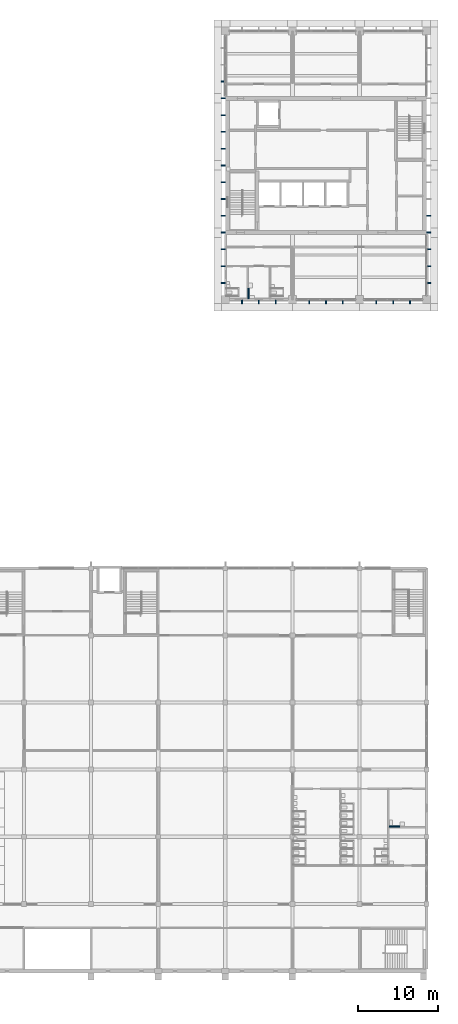
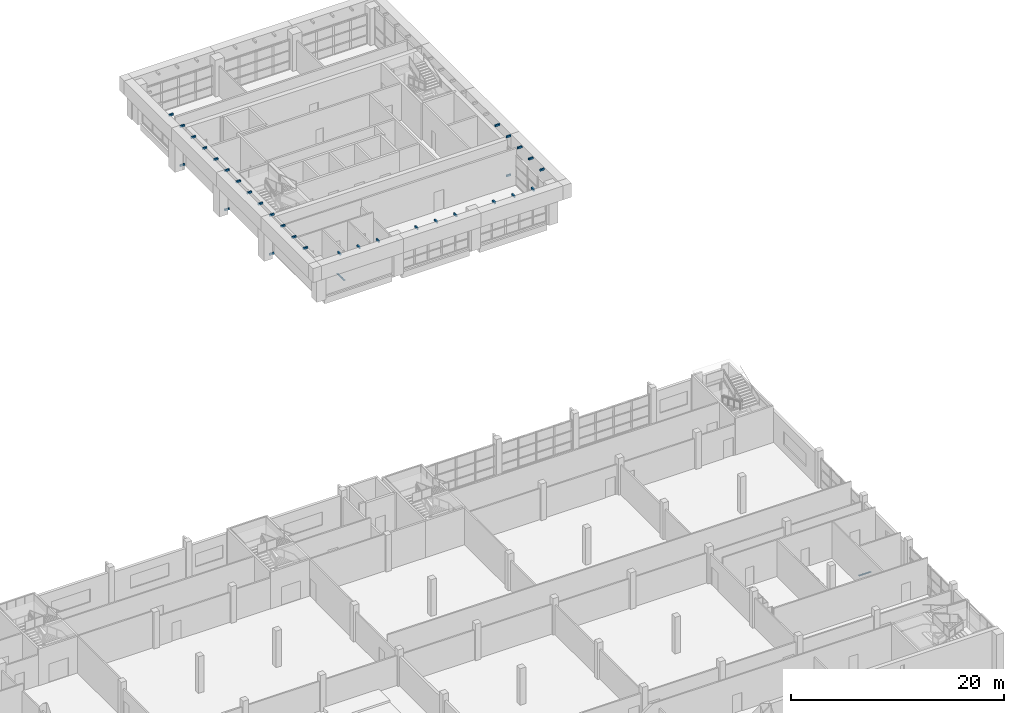
# One storey, part 32 of 56: 35 discrete accessories.
"""IFC4 building model written with IfcOpenShell, lengths in metres."""

import ifcopenshell
import ifcopenshell.guid

model = None  # the IFC model being written
_history = None  # IfcOwnerHistory: only IFC2X3 demands one
_inside = {}  # id of a spatial element -> (the spatial element, [elements in it])
_under = {}  # id of a project, library or spatial element -> (it, [spatial elements below it])
_declared = {}  # id of a project -> (the project, [libraries it declares])
_typed = {}  # id of a type object -> (the type object, [elements of that type])
_made_of = {}  # id of a material, layer set ... -> (it, [elements and type objects made of it])


def new_model(schema):
    """Start an empty IFC model of exactly this schema.

    Asked for "IFC4X3", IfcOpenShell would pick the latest addendum, in which some entities
    have other attributes; the version numbers below select the first issue.
    IFC2X3 requires an IfcOwnerHistory on every rooted entity: one is made here for all.
    """
    global model, _history
    if schema == "IFC4X3":
        model = ifcopenshell.file(schema_version=(4, 3, 0, 0))
    else:
        model = ifcopenshell.file(schema=schema)
    _inside.clear()
    _under.clear()
    _declared.clear()
    _typed.clear()
    _made_of.clear()
    _history = None
    if model.schema == "IFC2X3":
        org = make("IfcOrganization", Name="unknown")
        user = make(
            "IfcPersonAndOrganization",
            ThePerson=make("IfcPerson", FamilyName="unknown"),
            TheOrganization=org,
        )
        app = make(
            "IfcApplication",
            ApplicationDeveloper=org,
            Version="unknown",
            ApplicationFullName="unknown",
            ApplicationIdentifier="unknown",
        )
        _history = make(
            "IfcOwnerHistory",
            OwningUser=user,
            OwningApplication=app,
            ChangeAction="ADDED",
            CreationDate=0,
        )
    return model


def make(cls, **values):
    """One entity of the class cls with the attributes given. An attribute that is None is left unset."""
    return model.create_entity(
        cls, **{name: value for name, value in values.items() if value is not None}
    )


def rooted(cls, **values):
    """An entity with a GlobalId (a new one), such as an element, a storey or a relation."""
    return make(cls, GlobalId=ifcopenshell.guid.new(), OwnerHistory=_history, **values)


def si_unit(unit_type, name, prefix=None):
    """IfcSIUnit, for example si_unit("LENGTHUNIT", "METRE", prefix="MILLI")."""
    return make("IfcSIUnit", UnitType=unit_type, Prefix=prefix, Name=name)


def assignment(units):
    """IfcUnitAssignment: the units of a project."""
    return None if units is None else make("IfcUnitAssignment", Units=units)


def point(xyz):
    """IfcCartesianPoint."""
    return None if xyz is None else make("IfcCartesianPoint", Coordinates=xyz)


def direction(xyz):
    """IfcDirection."""
    return None if xyz is None else make("IfcDirection", DirectionRatios=xyz)


def frame(location, z_axis=None, x_axis=None):
    """IfcAxis2Placement3D, a coordinate frame: its origin and axes. An axis left out is left unset."""
    return make(
        "IfcAxis2Placement3D",
        Location=point(location),
        Axis=direction(z_axis),
        RefDirection=direction(x_axis),
    )


def frame_2d(location, x_axis=None):
    """IfcAxis2Placement2D, a coordinate frame in the plane: its origin and x axis."""
    return make(
        "IfcAxis2Placement2D", Location=point(location), RefDirection=direction(x_axis)
    )


def origin():
    """The frame at (0, 0, 0) with its axes left unset."""
    return frame((0.0, 0.0, 0.0))


def origin_2d():
    """The frame at (0, 0) in the plane with its x axis left unset."""
    return frame_2d((0.0, 0.0))


def place(relative_to, where):
    """IfcLocalPlacement: puts the frame where relative to a parent placement (None: the world)."""
    return make(
        "IfcLocalPlacement", PlacementRelTo=relative_to, RelativePlacement=where
    )


def context(
    kind, dimensions, precision=None, world=None, true_north=None, identifier=None
):
    """IfcGeometricRepresentationContext, for example the 3D "Model" context."""
    return make(
        "IfcGeometricRepresentationContext",
        ContextIdentifier=identifier,
        ContextType=kind,
        CoordinateSpaceDimension=dimensions,
        Precision=precision,
        WorldCoordinateSystem=world,
        TrueNorth=true_north,
    )


def subcontext(parent, identifier, kind, view, scale=None):
    """IfcGeometricRepresentationSubContext, for example "Body" below "Model"."""
    return make(
        "IfcGeometricRepresentationSubContext",
        ContextIdentifier=identifier,
        ContextType=kind,
        ParentContext=parent,
        TargetScale=scale,
        TargetView=view,
    )


def project(units=None, contexts=None):
    """IfcProject with its units and contexts."""
    return rooted(
        "IfcProject",
        Name="project",
        RepresentationContexts=contexts,
        UnitsInContext=assignment(units),
    )


def spatial(cls, under=None, at=None, **own):
    """A site, building, storey or space (cls), placed at a placement, below another one or the project."""
    s = rooted(cls, ObjectPlacement=at, **own)
    if under is not None:
        _under.setdefault(under.id(), (under, []))[1].append(s)
    return s


def profile(cls, at=None, kind="AREA", **sizes):
    """A parametric profile (cls). Its sizes go by their IFC names, for example OverallWidth=200.0."""
    return make(cls, ProfileType=kind, Position=at, **sizes)


def rectangle(**sizes):
    """IfcRectangleProfileDef."""
    return profile("IfcRectangleProfileDef", **sizes)


def extrude(swept, where, along, depth):
    """IfcExtrudedAreaSolid: the profile swept, set in the frame where, extruded along a direction by depth."""
    return make(
        "IfcExtrudedAreaSolid",
        SweptArea=swept,
        Position=where,
        ExtrudedDirection=direction(along),
        Depth=depth,
    )


def shape(context_of_items, identifier, shape_type, items):
    """IfcShapeRepresentation: the items that make up one representation, for example the "Body"."""
    return make(
        "IfcShapeRepresentation",
        ContextOfItems=context_of_items,
        RepresentationIdentifier=identifier,
        RepresentationType=shape_type,
        Items=items,
    )


def material(Name=None, Category=None):
    """IfcMaterial."""
    return make("IfcMaterial", Name=Name, Category=Category)


def made_of(thing, what):
    """Note that an element or type object is made of a material, layer set ...; save() writes the relation."""
    if what is not None:
        _made_of.setdefault(what.id(), (what, []))[1].append(thing)
    return thing


def type_object(cls, material=None, **own):
    """A type object (cls), such as IfcWallType, which elements share."""
    return made_of(rooted(cls, **own), material)


def element(
    cls,
    number,
    at=None,
    inside=None,
    cuts=None,
    type_object=None,
    material=None,
    context=None,
    identifier="Body",
    shape_type=None,
    held_by="IfcProductDefinitionShape",
    body=None,
    shapes=None,
    **own,
):
    """One element of the class cls, such as IfcWall. Its Tag is "e" and its number.

    at: its placement. inside: the storey or other place that contains it. cuts: it is an
    opening in that element (IfcRelVoidsElement). A single representation is given by context,
    identifier, shape_type and body (its items); several are given by shapes. held_by: the class
    of the entity that holds the representations. save() writes the other relations.
    """
    e = rooted(cls, Tag="e%d" % number, ObjectPlacement=at, **own)
    if body is not None:
        shapes = [shape(context, identifier, shape_type, body)]
    if shapes is not None:
        e.Representation = make(held_by, Representations=shapes)
    if inside is not None:
        _inside.setdefault(inside.id(), (inside, []))[1].append(e)
    if cuts is not None:
        rooted(
            "IfcRelVoidsElement", RelatingBuildingElement=cuts, RelatedOpeningElement=e
        )
    if type_object is not None:
        _typed.setdefault(type_object.id(), (type_object, []))[1].append(e)
    return made_of(e, material)


def aggregate(whole, parts):
    """IfcRelAggregates: a whole, such as a stair, and the parts it consists of."""
    return rooted("IfcRelAggregates", RelatingObject=whole, RelatedObjects=parts)


def save(model, path):
    """Write the relations noted so far, then the file.

    IfcRelAggregates (storeys below a building ...), IfcRelContainedInSpatialStructure (elements
    in a storey), IfcRelDefinesByType, IfcRelAssociatesMaterial and IfcRelDeclares: one each for
    every whole, place, type object, material and project.
    """
    for whole, parts in _under.values():
        aggregate(whole, parts)
    for where, things in _inside.values():
        rooted(
            "IfcRelContainedInSpatialStructure",
            RelatedElements=things,
            RelatingStructure=where,
        )
    for kind, things in _typed.values():
        rooted("IfcRelDefinesByType", RelatedObjects=things, RelatingType=kind)
    for what, things in _made_of.values():
        rooted("IfcRelAssociatesMaterial", RelatedObjects=things, RelatingMaterial=what)
    for by, libraries in _declared.values():
        rooted("IfcRelDeclares", RelatingContext=by, RelatedDefinitions=libraries)
    model.write(path)


model = new_model("IFC4")

# Units and contexts
model_context = context("Model", 3, precision=1e-05, world=origin(), true_north=direction((0.0, 1.0)))
body_context = subcontext(model_context, "Body", "Model", "MODEL_VIEW")
ifc_project = project(units=[si_unit("LENGTHUNIT", "METRE"), si_unit("AREAUNIT", "SQUARE_METRE"), si_unit("VOLUMEUNIT", "CUBIC_METRE"), si_unit("PLANEANGLEUNIT", "RADIAN"), si_unit("MASSUNIT", "GRAM", prefix="KILO")], contexts=[model_context])

# Site, building, storey
site_placement = place(None, origin())
site = spatial("IfcSite", under=ifc_project, at=site_placement, CompositionType="ELEMENT")
building_placement = place(site_placement, origin())
building = spatial("IfcBuilding", under=site, at=building_placement, Name="Rulbaag Community and Learning Centre", CompositionType="ELEMENT")
storey_placement = place(building_placement, frame((0.0, 0.0, 9.89990234375)))
storey = spatial("IfcBuildingStorey", under=building, at=storey_placement, Name="L02", CompositionType="ELEMENT", Elevation=9.89990234375)

# Discrete accessories
ifc_material_1 = material(Name="Steel E350", Category="steel")
discrete_accessory_type_1 = type_object("IfcDiscreteAccessoryType", Name="BR-DB", PredefinedType="BRACKET", material=ifc_material_1)
for number, where, z_axis, x_axis, name in (
    (1, (144.89990234375, 83.75, 4.25), (0.0, 0.0, 1.0), (1.0, 0.0, 0.0), "Datum band bracket"),
    (2, (147.0, 83.75, 4.25), (0.0, 0.0, 1.0), (1.0, 0.0, 0.0), "Datum band bracket"),
    (3, (149.10009765625, 83.75, 4.25), (0.0, 0.0, 1.0), (1.0, 0.0, 0.0), "Datum band bracket"),
    (4, (153.300048828125, 83.75, 4.25), (0.0, 0.0, 1.0), (1.0, 0.0, 0.0), "Datum band bracket"),
    (5, (155.39990234375, 83.75, 4.25), (0.0, 0.0, 1.0), (1.0, 0.0, 0.0), "Datum band bracket"),
    (6, (157.5, 83.75, 4.25), (0.0, 0.0, 1.0), (1.0, 0.0, 0.0), "Datum band bracket"),
    (7, (161.699951171875, 83.75, 4.25), (0.0, 0.0, 1.0), (1.0, 0.0, 0.0), "Datum band bracket"),
    (8, (163.800048828125, 83.75, 4.25), (0.0, 0.0, 1.0), (1.0, 0.0, 0.0), "Datum band bracket"),
    (9, (165.89990234375, 83.75, 4.25), (0.0, 0.0, 1.0), (1.0, 0.0, 0.0), "Datum band bracket"),
):
    element("IfcDiscreteAccessory", number, at=place(storey_placement, frame(where, z_axis=z_axis, x_axis=x_axis)), inside=storey, type_object=discrete_accessory_type_1, Name=name, PredefinedType="BRACKET", context=body_context, shape_type="SweptSolid", body=[
        extrude(rectangle(XDim=0.14990234375, YDim=0.5, at=origin_2d()), origin(), (0.0, 0.0, 1.0), 0.199951171875),
    ])
for number, where, z_axis, x_axis, name in (
    (10, (142.550048828125, 86.10009765625, 4.25), (0.0, 0.0, 1.0), (1.0, 0.0, 0.0), "Datum band bracket"),
    (11, (142.550048828125, 88.199951171875, 4.25), (0.0, 0.0, 1.0), (1.0, 0.0, 0.0), "Datum band bracket"),
    (12, (142.550048828125, 90.300048828125, 4.25), (0.0, 0.0, 1.0), (1.0, 0.0, 0.0), "Datum band bracket"),
    (13, (142.550048828125, 92.39990234375, 4.25), (0.0, 0.0, 1.0), (1.0, 0.0, 0.0), "Datum band bracket"),
    (14, (142.550048828125, 94.5, 4.25), (0.0, 0.0, 1.0), (1.0, 0.0, 0.0), "Datum band bracket"),
    (15, (142.550048828125, 96.60009765625, 4.25), (0.0, 0.0, 1.0), (1.0, 0.0, 0.0), "Datum band bracket"),
    (16, (142.550048828125, 98.699951171875, 4.25), (0.0, 0.0, 1.0), (1.0, 0.0, 0.0), "Datum band bracket"),
    (17, (142.550048828125, 100.800048828125, 4.25), (0.0, 0.0, 1.0), (1.0, 0.0, 0.0), "Datum band bracket"),
    (18, (142.550048828125, 102.89990234375, 4.25), (0.0, 0.0, 1.0), (1.0, 0.0, 0.0), "Datum band bracket"),
    (19, (142.550048828125, 105.0, 4.25), (0.0, 0.0, 1.0), (1.0, 0.0, 0.0), "Datum band bracket"),
    (20, (142.550048828125, 107.10009765625, 4.25), (0.0, 0.0, 1.0), (1.0, 0.0, 0.0), "Datum band bracket"),
    (21, (142.550048828125, 109.199951171875, 4.25), (0.0, 0.0, 1.0), (1.0, 0.0, 0.0), "Datum band bracket"),
    (22, (142.550048828125, 111.300048828125, 4.25), (0.0, 0.0, 1.0), (1.0, 0.0, 0.0), "Datum band bracket"),
    (23, (168.25, 86.10009765625, 4.25), (0.0, 0.0, 1.0), (1.0, 0.0, 0.0), "Datum band bracket"),
    (24, (168.25, 88.199951171875, 4.25), (0.0, 0.0, 1.0), (1.0, 0.0, 0.0), "Datum band bracket"),
    (25, (168.25, 90.300048828125, 4.25), (0.0, 0.0, 1.0), (1.0, 0.0, 0.0), "Datum band bracket"),
    (26, (168.25, 92.39990234375, 4.25), (0.0, 0.0, 1.0), (1.0, 0.0, 0.0), "Datum band bracket"),
    (27, (168.25, 94.5, 4.25), (0.0, 0.0, 1.0), (1.0, 0.0, 0.0), "Datum band bracket"),
    (28, (142.550048828125, 92.39990234375, -0.22509765625), (0.0, 0.0, 1.0), (1.0, 0.0, 0.0), "Pier bracket"),
    (29, (142.550048828125, 100.800048828125, -0.22509765625), (0.0, 0.0, 1.0), (1.0, 0.0, 0.0), "Pier bracket"),
    (30, (142.550048828125, 109.199951171875, -0.22509765625), (0.0, 0.0, 1.0), (1.0, 0.0, 0.0), "Pier bracket"),
    (31, (168.25, 92.39990234375, -0.22509765625), (0.0, 0.0, 1.0), (1.0, 0.0, 0.0), "Pier bracket"),
):
    element("IfcDiscreteAccessory", number, at=place(storey_placement, frame(where, z_axis=z_axis, x_axis=x_axis)), inside=storey, type_object=discrete_accessory_type_1, Name=name, PredefinedType="BRACKET", context=body_context, shape_type="SweptSolid", body=[
        extrude(rectangle(XDim=0.5, YDim=0.14990234375, at=origin_2d()), origin(), (0.0, 0.0, 1.0), 0.199951171875),
    ])
ifc_material_2 = material(Name="Stainless steel grade 316", Category="steel")
discrete_accessory_type_2 = type_object("IfcDiscreteAccessoryType", Name="GR-800", PredefinedType="USERDEFINED", material=ifc_material_2)
for number, where, z_axis, x_axis, name in (
    (32, (163.72998046875, 18.0849609375, 0.72998046875), (0.0, 0.0, 1.0), (1.0, 0.0, 0.0), "Grab rail"),
    (33, (164.22998046875, 18.0849609375, 0.72998046875), (0.0, 0.0, 1.0), (1.0, 0.0, 0.0), "Grab rail"),
):
    element("IfcDiscreteAccessory", number, at=place(storey_placement, frame(where, z_axis=z_axis, x_axis=x_axis)), inside=storey, type_object=discrete_accessory_type_2, Name=name, ObjectType="GRAB RAIL", PredefinedType="USERDEFINED", context=body_context, shape_type="SweptSolid", body=[
        extrude(rectangle(XDim=0.800048828125, YDim=0.169921875, at=origin_2d()), origin(), (0.0, 0.0, 1.0), 0.0400390625),
    ])
for number, where, z_axis, x_axis, name in (
    (34, (145.68505859375, 84.530029296875, 0.72998046875), (0.0, 0.0, 1.0), (1.0, 0.0, 0.0), "Grab rail"),
    (35, (145.68505859375, 85.030029296875, 0.72998046875), (0.0, 0.0, 1.0), (1.0, 0.0, 0.0), "Grab rail"),
):
    element("IfcDiscreteAccessory", number, at=place(storey_placement, frame(where, z_axis=z_axis, x_axis=x_axis)), inside=storey, type_object=discrete_accessory_type_2, Name=name, ObjectType="GRAB RAIL", PredefinedType="USERDEFINED", context=body_context, shape_type="SweptSolid", body=[
        extrude(rectangle(XDim=0.169921875, YDim=0.800048828125, at=origin_2d()), origin(), (0.0, 0.0, 1.0), 0.0400390625),
    ])

save(model, "model.ifc")
